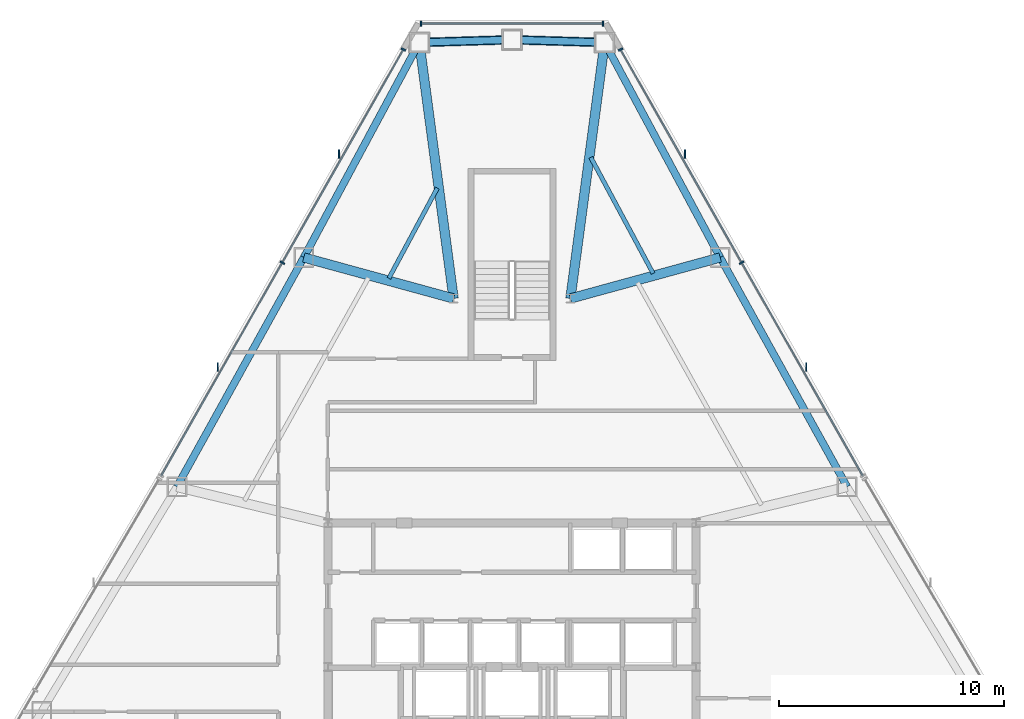
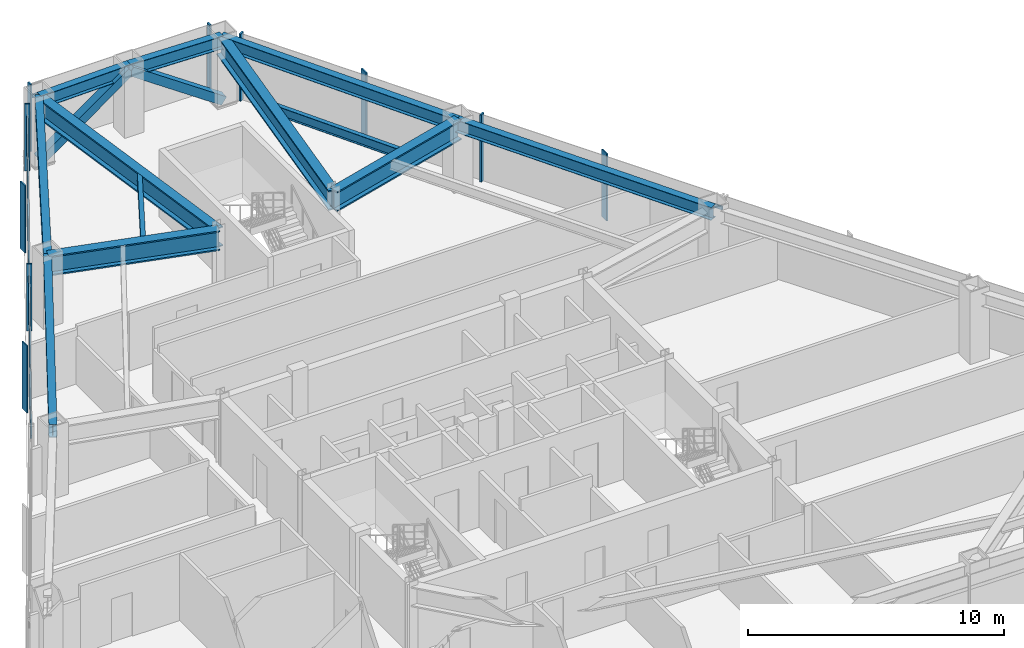
# One storey, part 8 of 13: 15 members, 12 beams, 3 elements without a shape of their own.
"""IFC4 building model written with IfcOpenShell, lengths in metres."""

import ifcopenshell
import ifcopenshell.guid

model = None  # the IFC model being written
_history = None  # IfcOwnerHistory: only IFC2X3 demands one
_inside = {}  # id of a spatial element -> (the spatial element, [elements in it])
_under = {}  # id of a project, library or spatial element -> (it, [spatial elements below it])
_declared = {}  # id of a project -> (the project, [libraries it declares])
_typed = {}  # id of a type object -> (the type object, [elements of that type])
_made_of = {}  # id of a material, layer set ... -> (it, [elements and type objects made of it])


def new_model(schema):
    """Start an empty IFC model of exactly this schema.

    Asked for "IFC4X3", IfcOpenShell would pick the latest addendum, in which some entities
    have other attributes; the version numbers below select the first issue.
    IFC2X3 requires an IfcOwnerHistory on every rooted entity: one is made here for all.
    """
    global model, _history
    if schema == "IFC4X3":
        model = ifcopenshell.file(schema_version=(4, 3, 0, 0))
    else:
        model = ifcopenshell.file(schema=schema)
    _inside.clear()
    _under.clear()
    _declared.clear()
    _typed.clear()
    _made_of.clear()
    _history = None
    if model.schema == "IFC2X3":
        org = make("IfcOrganization", Name="unknown")
        user = make(
            "IfcPersonAndOrganization",
            ThePerson=make("IfcPerson", FamilyName="unknown"),
            TheOrganization=org,
        )
        app = make(
            "IfcApplication",
            ApplicationDeveloper=org,
            Version="unknown",
            ApplicationFullName="unknown",
            ApplicationIdentifier="unknown",
        )
        _history = make(
            "IfcOwnerHistory",
            OwningUser=user,
            OwningApplication=app,
            ChangeAction="ADDED",
            CreationDate=0,
        )
    return model


def make(cls, **values):
    """One entity of the class cls with the attributes given. An attribute that is None is left unset."""
    return model.create_entity(
        cls, **{name: value for name, value in values.items() if value is not None}
    )


def rooted(cls, **values):
    """An entity with a GlobalId (a new one), such as an element, a storey or a relation."""
    return make(cls, GlobalId=ifcopenshell.guid.new(), OwnerHistory=_history, **values)


def si_unit(unit_type, name, prefix=None):
    """IfcSIUnit, for example si_unit("LENGTHUNIT", "METRE", prefix="MILLI")."""
    return make("IfcSIUnit", UnitType=unit_type, Prefix=prefix, Name=name)


def assignment(units):
    """IfcUnitAssignment: the units of a project."""
    return None if units is None else make("IfcUnitAssignment", Units=units)


def point(xyz):
    """IfcCartesianPoint."""
    return None if xyz is None else make("IfcCartesianPoint", Coordinates=xyz)


def direction(xyz):
    """IfcDirection."""
    return None if xyz is None else make("IfcDirection", DirectionRatios=xyz)


def frame(location, z_axis=None, x_axis=None):
    """IfcAxis2Placement3D, a coordinate frame: its origin and axes. An axis left out is left unset."""
    return make(
        "IfcAxis2Placement3D",
        Location=point(location),
        Axis=direction(z_axis),
        RefDirection=direction(x_axis),
    )


def frame_2d(location, x_axis=None):
    """IfcAxis2Placement2D, a coordinate frame in the plane: its origin and x axis."""
    return make(
        "IfcAxis2Placement2D", Location=point(location), RefDirection=direction(x_axis)
    )


def origin():
    """The frame at (0, 0, 0) with its axes left unset."""
    return frame((0.0, 0.0, 0.0))


def origin_2d():
    """The frame at (0, 0) in the plane with its x axis left unset."""
    return frame_2d((0.0, 0.0))


def place(relative_to, where):
    """IfcLocalPlacement: puts the frame where relative to a parent placement (None: the world)."""
    return make(
        "IfcLocalPlacement", PlacementRelTo=relative_to, RelativePlacement=where
    )


def context(
    kind, dimensions, precision=None, world=None, true_north=None, identifier=None
):
    """IfcGeometricRepresentationContext, for example the 3D "Model" context."""
    return make(
        "IfcGeometricRepresentationContext",
        ContextIdentifier=identifier,
        ContextType=kind,
        CoordinateSpaceDimension=dimensions,
        Precision=precision,
        WorldCoordinateSystem=world,
        TrueNorth=true_north,
    )


def subcontext(parent, identifier, kind, view, scale=None):
    """IfcGeometricRepresentationSubContext, for example "Body" below "Model"."""
    return make(
        "IfcGeometricRepresentationSubContext",
        ContextIdentifier=identifier,
        ContextType=kind,
        ParentContext=parent,
        TargetScale=scale,
        TargetView=view,
    )


def project(units=None, contexts=None):
    """IfcProject with its units and contexts."""
    return rooted(
        "IfcProject",
        Name="project",
        RepresentationContexts=contexts,
        UnitsInContext=assignment(units),
    )


def spatial(cls, under=None, at=None, **own):
    """A site, building, storey or space (cls), placed at a placement, below another one or the project."""
    s = rooted(cls, ObjectPlacement=at, **own)
    if under is not None:
        _under.setdefault(under.id(), (under, []))[1].append(s)
    return s


def profile(cls, at=None, kind="AREA", **sizes):
    """A parametric profile (cls). Its sizes go by their IFC names, for example OverallWidth=200.0."""
    return make(cls, ProfileType=kind, Position=at, **sizes)


def rectangle(**sizes):
    """IfcRectangleProfileDef."""
    return profile("IfcRectangleProfileDef", **sizes)


def hollow_rectangle(**sizes):
    """IfcRectangleHollowProfileDef."""
    return profile("IfcRectangleHollowProfileDef", **sizes)


def i_section(**sizes):
    """IfcIShapeProfileDef."""
    return profile("IfcIShapeProfileDef", **sizes)


def extrude(swept, where, along, depth):
    """IfcExtrudedAreaSolid: the profile swept, set in the frame where, extruded along a direction by depth."""
    return make(
        "IfcExtrudedAreaSolid",
        SweptArea=swept,
        Position=where,
        ExtrudedDirection=direction(along),
        Depth=depth,
    )


def shape(context_of_items, identifier, shape_type, items):
    """IfcShapeRepresentation: the items that make up one representation, for example the "Body"."""
    return make(
        "IfcShapeRepresentation",
        ContextOfItems=context_of_items,
        RepresentationIdentifier=identifier,
        RepresentationType=shape_type,
        Items=items,
    )


def source(mapping_origin, context_of_items, identifier, shape_type, items):
    """IfcRepresentationMap: a shape defined once, which mapped items show again and again."""
    return make(
        "IfcRepresentationMap",
        MappingOrigin=mapping_origin,
        MappedRepresentation=shape(context_of_items, identifier, shape_type, items),
    )


def transform(
    local_origin,
    x_axis=None,
    y_axis=None,
    z_axis=None,
    scale=None,
    scale2=None,
    scale3=None,
    uniform=True,
):
    """IfcCartesianTransformationOperator3D, or its non-uniform kind. x_axis, y_axis, z_axis: its Axis1, 2, 3."""
    if uniform:
        return make(
            "IfcCartesianTransformationOperator3D",
            Axis1=direction(x_axis),
            Axis2=direction(y_axis),
            LocalOrigin=point(local_origin),
            Scale=scale,
            Axis3=direction(z_axis),
        )
    return make(
        "IfcCartesianTransformationOperator3DnonUniform",
        Axis1=direction(x_axis),
        Axis2=direction(y_axis),
        LocalOrigin=point(local_origin),
        Scale=scale,
        Axis3=direction(z_axis),
        Scale2=scale2,
        Scale3=scale3,
    )


def mapped(mapping_source, mapping_target):
    """IfcMappedItem: shows the shape of a source again, moved by a transform."""
    return make(
        "IfcMappedItem", MappingSource=mapping_source, MappingTarget=mapping_target
    )


def material(Name=None, Category=None):
    """IfcMaterial."""
    return make("IfcMaterial", Name=Name, Category=Category)


def layer(
    of_material, thickness, ventilated=None, Name=None, Category=None, Priority=None
):
    """IfcMaterialLayer: one layer of a wall or slab, of a material (None: an air gap)."""
    return make(
        "IfcMaterialLayer",
        Material=of_material,
        LayerThickness=thickness,
        IsVentilated=ventilated,
        Name=Name,
        Category=Category,
        Priority=Priority,
    )


def layer_set(layers, Name=None):
    """IfcMaterialLayerSet."""
    return make("IfcMaterialLayerSet", MaterialLayers=layers, LayerSetName=Name)


def material_profile(
    of_material, cross_section, Name=None, Category=None, Priority=None
):
    """IfcMaterialProfile: a cross section and its material."""
    return make(
        "IfcMaterialProfile",
        Name=Name,
        Material=of_material,
        Profile=cross_section,
        Priority=Priority,
        Category=Category,
    )


def profile_set(profiles, Name=None, composite=None):
    """IfcMaterialProfileSet."""
    return make(
        "IfcMaterialProfileSet",
        Name=Name,
        MaterialProfiles=profiles,
        CompositeProfile=composite,
    )


def made_of(thing, what):
    """Note that an element or type object is made of a material, layer set ...; save() writes the relation."""
    if what is not None:
        _made_of.setdefault(what.id(), (what, []))[1].append(thing)
    return thing


def type_object(cls, material=None, **own):
    """A type object (cls), such as IfcWallType, which elements share."""
    return made_of(rooted(cls, **own), material)


def type_shapes(of_type, sources):
    """Give a type object the sources (RepresentationMaps) that its elements show as mapped items."""
    of_type.RepresentationMaps = sources


def element(
    cls,
    number,
    at=None,
    inside=None,
    cuts=None,
    type_object=None,
    material=None,
    context=None,
    identifier="Body",
    shape_type=None,
    held_by="IfcProductDefinitionShape",
    body=None,
    shapes=None,
    **own,
):
    """One element of the class cls, such as IfcWall. Its Tag is "e" and its number.

    at: its placement. inside: the storey or other place that contains it. cuts: it is an
    opening in that element (IfcRelVoidsElement). A single representation is given by context,
    identifier, shape_type and body (its items); several are given by shapes. held_by: the class
    of the entity that holds the representations. save() writes the other relations.
    """
    e = rooted(cls, Tag="e%d" % number, ObjectPlacement=at, **own)
    if body is not None:
        shapes = [shape(context, identifier, shape_type, body)]
    if shapes is not None:
        e.Representation = make(held_by, Representations=shapes)
    if inside is not None:
        _inside.setdefault(inside.id(), (inside, []))[1].append(e)
    if cuts is not None:
        rooted(
            "IfcRelVoidsElement", RelatingBuildingElement=cuts, RelatedOpeningElement=e
        )
    if type_object is not None:
        _typed.setdefault(type_object.id(), (type_object, []))[1].append(e)
    return made_of(e, material)


def aggregate(whole, parts):
    """IfcRelAggregates: a whole, such as a stair, and the parts it consists of."""
    return rooted("IfcRelAggregates", RelatingObject=whole, RelatedObjects=parts)


def save(model, path):
    """Write the relations noted so far, then the file.

    IfcRelAggregates (storeys below a building ...), IfcRelContainedInSpatialStructure (elements
    in a storey), IfcRelDefinesByType, IfcRelAssociatesMaterial and IfcRelDeclares: one each for
    every whole, place, type object, material and project.
    """
    for whole, parts in _under.values():
        aggregate(whole, parts)
    for where, things in _inside.values():
        rooted(
            "IfcRelContainedInSpatialStructure",
            RelatedElements=things,
            RelatingStructure=where,
        )
    for kind, things in _typed.values():
        rooted("IfcRelDefinesByType", RelatedObjects=things, RelatingType=kind)
    for what, things in _made_of.values():
        rooted("IfcRelAssociatesMaterial", RelatedObjects=things, RelatingMaterial=what)
    for by, libraries in _declared.values():
        rooted("IfcRelDeclares", RelatingContext=by, RelatedDefinitions=libraries)
    model.write(path)


model = new_model("IFC4")

# Units and contexts
model_context = context("Model", 3, precision=1e-05, world=origin(), true_north=direction((0.0, 1.0)))
body_context = subcontext(model_context, "Body", "Model", "MODEL_VIEW")
ifc_project = project(units=[si_unit("LENGTHUNIT", "METRE"), si_unit("AREAUNIT", "SQUARE_METRE"), si_unit("VOLUMEUNIT", "CUBIC_METRE"), si_unit("PLANEANGLEUNIT", "RADIAN"), si_unit("MASSUNIT", "GRAM", prefix="KILO")], contexts=[model_context])

# Site, building, storey
site_placement = place(None, origin())
site = spatial("IfcSite", under=ifc_project, at=site_placement, CompositionType="ELEMENT")
building_placement = place(site_placement, origin())
building = spatial("IfcBuilding", under=site, at=building_placement, Name="Varakhsha Concourse Tower", CompositionType="ELEMENT")
storey_placement = place(building_placement, frame((0.0, 0.0, 133.25)))
storey = spatial("IfcBuildingStorey", under=building, at=storey_placement, Name="L38", CompositionType="ELEMENT", Elevation=133.25)

# Beams
ifc_material_1 = material(Name="Structural Steel ASTM A992 Grade 50", Category="steel")
ifc_material_profile_1 = material_profile(ifc_material_1, i_section(OverallWidth=0.19091796875, OverallDepth=0.45703125, WebThickness=0.009033203125, FlangeThickness=0.013916015625, at=origin_2d()), Name="W18X50")
ifc_profile_set_1 = profile_set([ifc_material_profile_1], Name="Structural Steel ASTM A992 Grade 50")
beam_type_1 = type_object("IfcBeamType", Name="BM-JST-W18X50", PredefinedType="JOIST", material=ifc_profile_set_1)
beam_1_placement = place(storey_placement, frame((36.676513671875, 46.119140625, 2.9814453125), z_axis=(-0.473308162686, -0.880896919699, 0.0), x_axis=(0.880896919699, -0.473308162686, 0.0)))
element("IfcBeam", 1, at=beam_1_placement, inside=storey, type_object=beam_type_1, Name="BM-TJST-L38-03", PredefinedType="JOIST", context=body_context, shape_type="SweptSolid", body=[
    extrude(i_section(OverallWidth=0.19091796875, OverallDepth=0.45703125, WebThickness=0.009033203125, FlangeThickness=0.013916015625, at=origin_2d()), origin(), (0.0, 0.0, 1.0), 4.56201171875),
])
beam_2_placement = place(storey_placement, frame((46.282958984375, 42.319580078125, 2.9814453125), z_axis=(-0.473273184067, 0.880915712905, 0.0), x_axis=(-0.880915712905, -0.473273184067, 0.0)))
element("IfcBeam", 2, at=beam_2_placement, inside=storey, type_object=beam_type_1, Name="BM-TJST-L38-18", PredefinedType="JOIST", context=body_context, shape_type="SweptSolid", body=[
    extrude(i_section(OverallWidth=0.19091796875, OverallDepth=0.45703125, WebThickness=0.009033203125, FlangeThickness=0.013916015625, at=origin_2d()), origin(), (0.0, 0.0, 1.0), 5.8662109375),
])
ifc_material_profile_2 = material_profile(ifc_material_1, i_section(OverallWidth=0.423095703125, OverallDepth=0.947998046875, WebThickness=0.0380859375, FlangeThickness=0.06396484375, at=origin_2d()), Name="W36X302")
ifc_profile_set_2 = profile_set([ifc_material_profile_2], Name="Structural Steel ASTM A992 Grade 50")
beam_type_2 = type_object("IfcBeamType", Name="BM-OUTR-W36X302", PredefinedType="USERDEFINED", material=ifc_profile_set_2)
for number, where, z_axis, x_axis, name in (
    (3, (42.60009765625, 41.199951171875, 2.736083984375), (0.132664235553, 0.991161036666, 0.0), (-0.991161036666, 0.132664235553, 0.0), "L38 Radial Floor Girder 01"),
    (4, (37.39990234375, 41.199951171875, 2.736083984375), (-0.132664235553, 0.991161036666, 0.0), (-0.991161036666, -0.132664235553, 0.0), "L38 Radial Floor Girder 03"),
):
    element("IfcBeam", number, at=place(storey_placement, frame(where, z_axis=z_axis, x_axis=x_axis)), inside=storey, type_object=beam_type_2, Name=name, ObjectType="GIRDER", PredefinedType="USERDEFINED", context=body_context, shape_type="SweptSolid", body=[
        extrude(i_section(OverallWidth=0.423095703125, OverallDepth=0.947998046875, WebThickness=0.0380859375, FlangeThickness=0.06396484375, at=origin_2d()), origin(), (0.0, 0.0, 1.0), 11.501708984375),
    ])
for number, where, z_axis, x_axis, name in (
    (5, (37.39990234375, 41.199951171875, 2.736083984375), (-0.964488724062, 0.264124026089, 0.0), (-0.264124026089, -0.964488724062, 0.0), "L38 Radial Floor Girder 04"),
    (6, (42.60009765625, 41.199951171875, 2.736083984375), (0.964488724062, 0.264124026089, 0.0), (-0.264124026089, 0.964488724062, 0.0), "L38 Radial Floor Girder 18"),
):
    element("IfcBeam", number, at=place(storey_placement, frame(where, z_axis=z_axis, x_axis=x_axis)), inside=storey, type_object=beam_type_2, Name=name, ObjectType="GIRDER", PredefinedType="USERDEFINED", context=body_context, shape_type="SweptSolid", body=[
        extrude(i_section(OverallWidth=0.423095703125, OverallDepth=0.947998046875, WebThickness=0.0380859375, FlangeThickness=0.06396484375, at=origin_2d()), origin(), (0.0, 0.0, 1.0), 6.9150390625),
    ])
ifc_material_profile_3 = material_profile(ifc_material_1, i_section(OverallWidth=0.323974609375, OverallDepth=0.611083984375, WebThickness=0.012939453125, FlangeThickness=0.01904296875, at=origin_2d()), Name="W24X104")
ifc_profile_set_3 = profile_set([ifc_material_profile_3], Name="Structural Steel ASTM A992 Grade 50")
beam_type_3 = type_object("IfcBeamType", Name="BM-SPAN-W24X104", PredefinedType="SPANDREL", material=ifc_profile_set_3)
for number, where, z_axis, x_axis, name in (
    (7, (44.1259765625, 52.60009765625, 2.904541015625), (-0.999566117075, 0.029454670195, 0.0), (-0.029454670195, -0.999566117075, 0.0), "BM-SPAN-L38-01"),
    (8, (40.0, 52.7216796875, 2.904541015625), (-0.999566117075, -0.029454670195, 0.0), (0.029454670195, -0.999566117075, 0.0), "BM-SPAN-L38-02"),
):
    element("IfcBeam", number, at=place(storey_placement, frame(where, z_axis=z_axis, x_axis=x_axis)), inside=storey, type_object=beam_type_3, Name=name, PredefinedType="SPANDREL", context=body_context, shape_type="SweptSolid", body=[
        extrude(i_section(OverallWidth=0.323974609375, OverallDepth=0.611083984375, WebThickness=0.012939453125, FlangeThickness=0.01904296875, at=origin_2d()), origin(), (0.0, 0.0, 1.0), 4.127685546875),
    ])
beam_3_placement = place(storey_placement, frame((35.8740234375, 52.60009765625, 2.904541015625), z_axis=(-0.473277094383, -0.880913612071, 0.0), x_axis=(0.880913612071, -0.473277094383, 0.0)))
element("IfcBeam", 9, at=beam_3_placement, inside=storey, type_object=beam_type_3, Name="BM-SPAN-L38-03", PredefinedType="SPANDREL", context=body_context, shape_type="SweptSolid", body=[
    extrude(i_section(OverallWidth=0.323974609375, OverallDepth=0.611083984375, WebThickness=0.012939453125, FlangeThickness=0.01904296875, at=origin_2d()), origin(), (0.0, 0.0, 1.0), 10.867919921875),
])
for number, where, z_axis, x_axis, name in (
    (10, (30.73046875, 43.0263671875, 2.904541015625), (-0.484256982071, -0.874925811321, 0.0), (0.874925811321, -0.484256982071, 0.0), "BM-SPAN-L38-04"),
    (11, (54.92138671875, 32.81494140625, 2.904541015625), (-0.484256982071, 0.874925811321, 0.0), (-0.874925811321, -0.484256982071, 0.0), "BM-SPAN-L38-17"),
):
    element("IfcBeam", number, at=place(storey_placement, frame(where, z_axis=z_axis, x_axis=x_axis)), inside=storey, type_object=beam_type_3, Name=name, PredefinedType="SPANDREL", context=body_context, shape_type="SweptSolid", body=[
        extrude(i_section(OverallWidth=0.323974609375, OverallDepth=0.611083984375, WebThickness=0.012939453125, FlangeThickness=0.01904296875, at=origin_2d()), origin(), (0.0, 0.0, 1.0), 11.671142578125),
    ])
beam_4_placement = place(storey_placement, frame((49.26953125, 43.0263671875, 2.904541015625), z_axis=(-0.473277094383, 0.880913612071, 0.0), x_axis=(-0.880913612071, -0.473277094383, 0.0)))
element("IfcBeam", 12, at=beam_4_placement, inside=storey, type_object=beam_type_3, Name="BM-SPAN-L38-18", PredefinedType="SPANDREL", context=body_context, shape_type="SweptSolid", body=[
    extrude(i_section(OverallWidth=0.323974609375, OverallDepth=0.611083984375, WebThickness=0.012939453125, FlangeThickness=0.01904296875, at=origin_2d()), origin(), (0.0, 0.0, 1.0), 10.867919921875),
])

# Members
ifc_material_2 = material(Name="Structural Steel ASTM A500 Grade C", Category="steel")
ifc_material_profile_4 = material_profile(ifc_material_2, hollow_rectangle(XDim=0.39990234375, YDim=0.39990234375, WallThickness=0.01611328125, at=origin_2d()), Name="HSS 400x400x16")
ifc_profile_set_4 = profile_set([ifc_material_profile_4], Name="Structural Steel ASTM A500 Grade C")
member_type_1 = type_object("IfcMemberType", Name="MB-TUBE-HSS400", PredefinedType="BRACE", material=ifc_profile_set_4)
shared_shape_1 = source(origin(), body_context, "Body", "SweptSolid", [
    extrude(hollow_rectangle(XDim=0.39990234375, YDim=0.39990234375, WallThickness=0.01611328125, at=origin_2d()), origin(), (0.0, 0.0, 1.0), 4.982177734375),
])
type_shapes(member_type_1, [shared_shape_1])
for number, where, z_axis, x_axis, name in (
    (13, (44.1259765625, 52.60009765625, 0.1201171875), (-0.828158456165, 0.024403722554, 0.559962525361), (-0.029454670195, -0.999566117075, 0.0), "L38 Wind-Corner Tube Brace B01"),
    (14, (35.8740234375, 52.60009765625, 0.1201171875), (0.828158456165, 0.024403722554, 0.559962525361), (-0.029454670195, 0.999566117075, 0.0), "L38 Wind-Corner Tube Brace B02"),
):
    element("IfcMember", number, at=place(storey_placement, frame(where, z_axis=z_axis, x_axis=x_axis)), inside=storey, type_object=member_type_1, Name=name, PredefinedType="BRACE", context=body_context, shape_type="MappedRepresentation", body=[
        mapped(shared_shape_1, transform((0.0, 0.0, 0.0), scale=1.0)),
    ])

# Curtain wall, members
ifc_material_3 = material(Name="Anodised Bronze Architectural Aluminium AA 6063-T6", Category="aluminium")
ifc_layer = layer(ifc_material_3, 0.2099609375, Name="CW-SYS-04")
ifc_layer_set = layer_set([ifc_layer], Name="Anodised Bronze Architectural Aluminium AA 6063-T6")
curtain_wall_type = type_object("IfcCurtainWallType", Name="CW-SYS-04", PredefinedType="NOTDEFINED", material=ifc_layer_set)
curtain_wall_1_placement = place(storey_placement, origin())
curtain_wall_1 = element("IfcCurtainWall", 15, at=curtain_wall_1_placement, inside=storey, type_object=curtain_wall_type, Name="L38 Chamfer Curtain Wall F1", PredefinedType="NOTDEFINED")
ifc_material_profile_5 = material_profile(ifc_material_3, rectangle(XDim=0.074951171875, YDim=0.219970703125, at=origin_2d()), Name="CWM-220X75")
ifc_profile_set_5 = profile_set([ifc_material_profile_5], Name="Anodised Bronze Architectural Aluminium AA 6063-T6")
member_type_2 = type_object("IfcMemberType", Name="CWM-220X75", PredefinedType="MULLION", material=ifc_profile_set_5)
shared_shape_2 = source(origin(), body_context, "Body", "SweptSolid", [
    extrude(rectangle(XDim=0.074951171875, YDim=0.219970703125, at=origin_2d()), origin(), (0.0, 0.0, 1.0), 3.2099609375),
])
type_shapes(member_type_2, [shared_shape_2])
member_1_placement = place(storey_placement, frame((35.948486328125, 53.441650390625, 0.0), z_axis=(0.0, 0.0, 1.0), x_axis=(1.0, 0.0, 0.0)))
member_1 = element("IfcMember", 16, at=member_1_placement, type_object=member_type_2, Name="CW-L38-F1 Mullion 00", PredefinedType="MULLION", context=body_context, shape_type="MappedRepresentation", body=[
    mapped(shared_shape_2, transform((0.0, 0.0, 0.0), scale=1.0)),
])
member_2_placement = place(storey_placement, frame((44.051513671875, 53.441650390625, 0.0), z_axis=(0.0, 0.0, 1.0), x_axis=(1.0, 0.0, 0.0)))
member_2 = element("IfcMember", 17, at=member_2_placement, type_object=member_type_2, Name="CW-L38-F1 Mullion 01", PredefinedType="MULLION", context=body_context, shape_type="MappedRepresentation", body=[
    mapped(shared_shape_2, transform((0.0, 0.0, 0.0), scale=1.0)),
])

curtain_wall_2_placement = place(storey_placement, origin())
curtain_wall_2 = element("IfcCurtainWall", 18, at=curtain_wall_2_placement, inside=storey, type_object=curtain_wall_type, Name="L38 Crystal Curtain Wall F2", PredefinedType="NOTDEFINED")
member_3_placement = place(storey_placement, frame((29.7734375, 42.7998046875, 0.0), z_axis=(0.0, 0.0, 1.0), x_axis=(0.494114858069, 0.8693966339, 0.0)))
member_3 = element("IfcMember", 19, at=member_3_placement, type_object=member_type_2, Name="CW-L38-F2 Mullion 01", PredefinedType="MULLION", context=body_context, shape_type="MappedRepresentation", body=[
    mapped(shared_shape_2, transform((0.0, 0.0, 0.0), scale=1.0)),
])
member_4_placement = place(storey_placement, frame((35.166015625, 52.2880859375, 0.0), z_axis=(0.0, 0.0, 1.0), x_axis=(0.494114858069, 0.8693966339, 0.0)))
member_4 = element("IfcMember", 20, at=member_4_placement, type_object=member_type_2, Name="CW-L38-F2 Mullion 02", PredefinedType="MULLION", context=body_context, shape_type="MappedRepresentation", body=[
    mapped(shared_shape_2, transform((0.0, 0.0, 0.0), scale=1.0)),
])

curtain_wall_3_placement = place(storey_placement, origin())
curtain_wall_3 = element("IfcCurtainWall", 21, at=curtain_wall_3_placement, inside=storey, type_object=curtain_wall_type, Name="L38 Crystal Curtain Wall F9", PredefinedType="NOTDEFINED")
member_5_placement = place(storey_placement, frame((44.833984375, 52.2880859375, 0.0), z_axis=(0.0, 0.0, 1.0), x_axis=(0.494114858069, -0.8693966339, 0.0)))
member_5 = element("IfcMember", 22, at=member_5_placement, type_object=member_type_2, Name="CW-L38-F9 Mullion 00", PredefinedType="MULLION", context=body_context, shape_type="MappedRepresentation", body=[
    mapped(shared_shape_2, transform((0.0, 0.0, 0.0), scale=1.0)),
])
member_6_placement = place(storey_placement, frame((50.2265625, 42.7998046875, 0.0), z_axis=(0.0, 0.0, 1.0), x_axis=(0.494114858069, -0.8693966339, 0.0)))
member_6 = element("IfcMember", 23, at=member_6_placement, type_object=member_type_2, Name="CW-L38-F9 Mullion 01", PredefinedType="MULLION", context=body_context, shape_type="MappedRepresentation", body=[
    mapped(shared_shape_2, transform((0.0, 0.0, 0.0), scale=1.0)),
])

# Member
ifc_material_profile_6 = material_profile(ifc_material_3, rectangle(XDim=0.06005859375, YDim=0.3798828125, at=origin_2d()), Name="FIN-BRZ-380")
ifc_profile_set_6 = profile_set([ifc_material_profile_6], Name="Anodised Bronze Architectural Aluminium AA 6063-T6")
member_type_3 = type_object("IfcMemberType", Name="FIN-BRZ-380", PredefinedType="USERDEFINED", material=ifc_profile_set_6)
shared_shape_3 = source(origin(), body_context, "Body", "SweptSolid", [
    extrude(rectangle(XDim=0.06005859375, YDim=0.3798828125, at=origin_2d()), origin(), (0.0, 0.0, 1.0), 3.2099609375),
])
type_shapes(member_type_3, [shared_shape_3])
member_7_placement = place(storey_placement, frame((26.89892578125, 38.15673828125, 0.0), z_axis=(0.0, 0.0, 1.0), x_axis=(1.0, 0.0, 0.0)))
member_7 = element("IfcMember", 24, at=member_7_placement, type_object=member_type_3, Name="L38 Anodised Bronze Solar Fin F2-1", ObjectType="SOLAR FIN", PredefinedType="USERDEFINED", context=body_context, shape_type="MappedRepresentation", body=[
    mapped(shared_shape_3, transform((0.0, 0.0, 0.0), scale=1.0)),
])

member_8_placement = place(storey_placement, frame((32.29150390625, 47.64501953125, 0.0), z_axis=(0.0, 0.0, 1.0), x_axis=(1.0, 0.0, 0.0)))
member_8 = element("IfcMember", 25, at=member_8_placement, type_object=member_type_3, Name="L38 Anodised Bronze Solar Fin F2-2", ObjectType="SOLAR FIN", PredefinedType="USERDEFINED", context=body_context, shape_type="MappedRepresentation", body=[
    mapped(shared_shape_3, transform((0.0, 0.0, 0.0), scale=1.0)),
])

member_9_placement = place(storey_placement, frame((47.70849609375, 47.64501953125, 0.0), z_axis=(0.0, 0.0, 1.0), x_axis=(1.0, 0.0, 0.0)))
member_9 = element("IfcMember", 26, at=member_9_placement, type_object=member_type_3, Name="L38 Anodised Bronze Solar Fin F9-1", ObjectType="SOLAR FIN", PredefinedType="USERDEFINED", context=body_context, shape_type="MappedRepresentation", body=[
    mapped(shared_shape_3, transform((0.0, 0.0, 0.0), scale=1.0)),
])

member_10_placement = place(storey_placement, frame((53.10107421875, 38.15673828125, 0.0), z_axis=(0.0, 0.0, 1.0), x_axis=(1.0, 0.0, 0.0)))
member_10 = element("IfcMember", 27, at=member_10_placement, type_object=member_type_3, Name="L38 Anodised Bronze Solar Fin F9-2", ObjectType="SOLAR FIN", PredefinedType="USERDEFINED", context=body_context, shape_type="MappedRepresentation", body=[
    mapped(shared_shape_3, transform((0.0, 0.0, 0.0), scale=1.0)),
])

ifc_material_profile_7 = material_profile(ifc_material_3, rectangle(XDim=0.06494140625, YDim=0.159912109375, at=origin_2d()), Name="CWT-160X65")
ifc_profile_set_7 = profile_set([ifc_material_profile_7], Name="Anodised Bronze Architectural Aluminium AA 6063-T6")
member_type_4 = type_object("IfcMemberType", Name="CWT-160X65", PredefinedType="USERDEFINED", material=ifc_profile_set_7)
shared_shape_4 = source(origin(), body_context, "Body", "SweptSolid", [
    extrude(rectangle(XDim=0.06494140625, YDim=0.159912109375, at=origin_2d()), origin(), (0.0, 0.0, 1.0), 21.827392578125),
])
member_11_placement = place(storey_placement, frame((24.380859375, 33.311279296875, 2.56005859375), z_axis=(0.494109139213, 0.869399884142, 0.0), x_axis=(-0.869399884142, 0.494109139213, 0.0)))
member_11 = element("IfcMember", 28, at=member_11_placement, type_object=member_type_4, Name="CW-L38-F2 Transom 01", ObjectType="TRANSOM", PredefinedType="USERDEFINED", context=body_context, shape_type="MappedRepresentation", body=[
    mapped(shared_shape_4, transform((0.0, 0.0, 0.0), scale=1.0)),
])

aggregate(curtain_wall_2, [member_3, member_4, member_11, member_7, member_8])

member_12_placement = place(storey_placement, frame((44.833984375, 52.2880859375, 2.56005859375), z_axis=(0.494109139213, -0.869399884142, 0.0), x_axis=(0.869399884142, 0.494109139213, 0.0)))
member_12 = element("IfcMember", 29, at=member_12_placement, type_object=member_type_4, Name="CW-L38-F9 Transom 01", ObjectType="TRANSOM", PredefinedType="USERDEFINED", context=body_context, shape_type="MappedRepresentation", body=[
    mapped(shared_shape_4, transform((0.0, 0.0, 0.0), scale=1.0)),
])

aggregate(curtain_wall_3, [member_5, member_6, member_12, member_9, member_10])

shared_shape_5 = source(origin(), body_context, "Body", "SweptSolid", [
    extrude(rectangle(XDim=0.06494140625, YDim=0.159912109375, at=origin_2d()), origin(), (0.0, 0.0, 1.0), 8.10302734375),
])
type_shapes(member_type_4, [shared_shape_4, shared_shape_5])
member_13_placement = place(storey_placement, frame((35.948486328125, 53.441650390625, 2.56005859375), z_axis=(1.0, 0.0, 0.0), x_axis=(0.0, 1.0, 0.0)))
member_13 = element("IfcMember", 30, at=member_13_placement, type_object=member_type_4, Name="CW-L38-F1 Transom 01", ObjectType="TRANSOM", PredefinedType="USERDEFINED", context=body_context, shape_type="MappedRepresentation", body=[
    mapped(shared_shape_5, transform((0.0, 0.0, 0.0), scale=1.0)),
])

aggregate(curtain_wall_1, [member_1, member_2, member_13])

save(model, "model.ifc")
